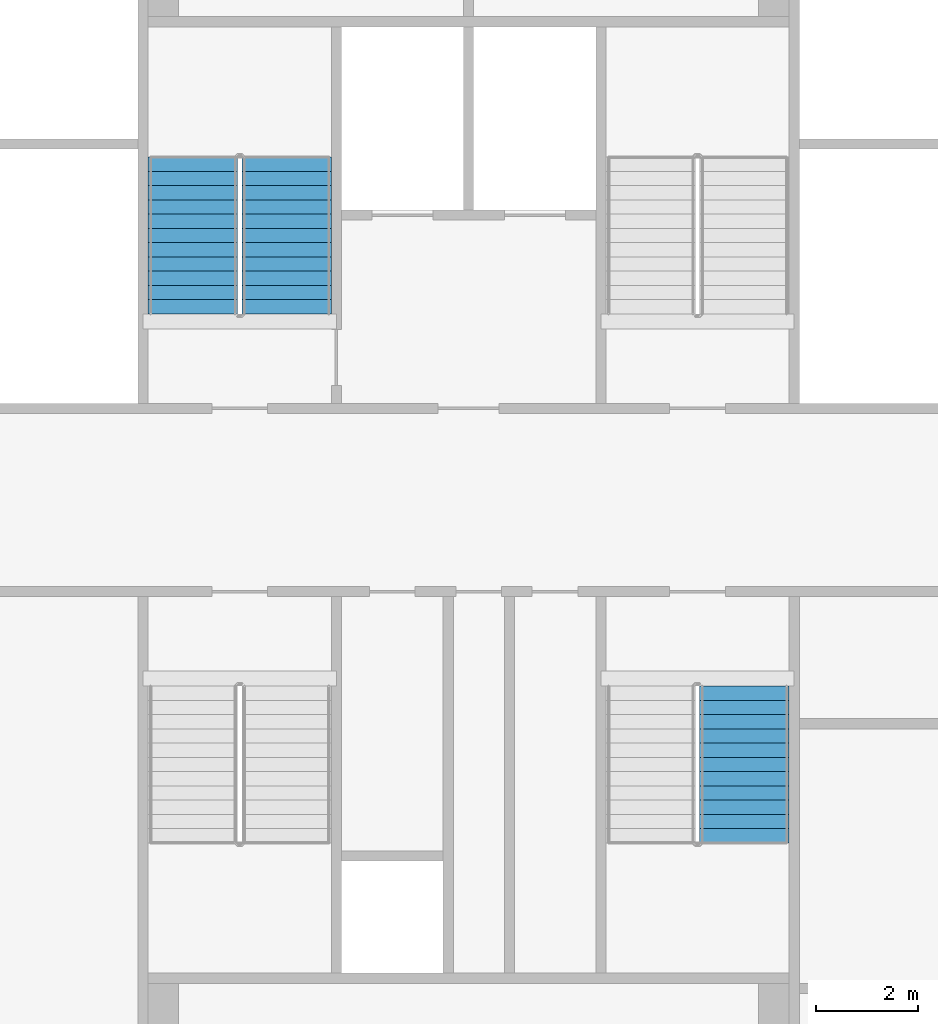
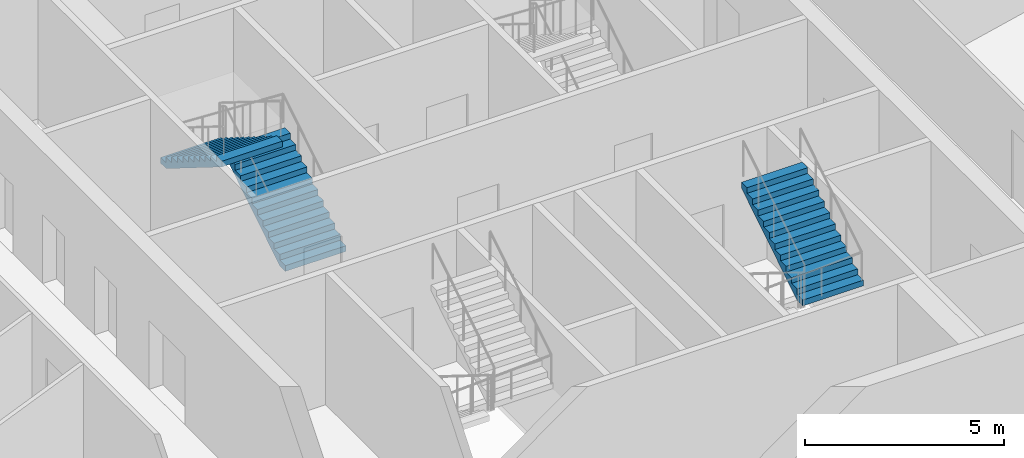
# One storey, part 21 of 27: 3 stair flights, 2 elements without a shape of their own.
"""IFC4 building model written with IfcOpenShell, lengths in metres."""

from ifc_helpers import new_model, si_unit, direction, frame, origin, place, context, subcontext, project, spatial, faceted_brep, material, type_object, element, aggregate, save


model = new_model("IFC4")

# Units and contexts
model_context = context("Model", 3, precision=1e-05, world=origin(), true_north=direction((0.0, 1.0)))
body_context = subcontext(model_context, "Body", "Model", "MODEL_VIEW")
ifc_project = project(units=[si_unit("LENGTHUNIT", "METRE"), si_unit("AREAUNIT", "SQUARE_METRE"), si_unit("VOLUMEUNIT", "CUBIC_METRE"), si_unit("PLANEANGLEUNIT", "RADIAN"), si_unit("MASSUNIT", "GRAM", prefix="KILO")], contexts=[model_context])

# Site, building, storey
site_placement = place(None, origin())
site = spatial("IfcSite", under=ifc_project, at=site_placement, CompositionType="ELEMENT")
building_placement = place(site_placement, origin())
building = spatial("IfcBuilding", under=site, at=building_placement, Name="Tarsis Ring Headquarters", CompositionType="ELEMENT")
storey_placement = place(building_placement, frame((0.0, 0.0, 373.39990234375)))
storey = spatial("IfcBuildingStorey", under=building, at=storey_placement, Name="L88", CompositionType="ELEMENT", Elevation=373.39990234375)

# Stair, stair flights
ifc_material_1 = material(Name="Core stair 1760")
stair_type = type_object("IfcStairType", Name="Core stair 1760", PredefinedType="HALF_TURN_STAIR", material=ifc_material_1)
stair_1_placement = place(storey_placement, origin())
stair_1 = element("IfcStair", 1, at=stair_1_placement, inside=storey, type_object=stair_type, Name="L88 Firefighting stair", PredefinedType="HALF_TURN_STAIR")
ifc_material_2 = material(Name="Concrete C40/50", Category="concrete")
stair_flight_type = type_object("IfcStairFlightType", Name="Core stair flight 1760", PredefinedType="STRAIGHT", material=ifc_material_2)
stair_flight_1_placement = place(storey_placement, frame((-3.580078125, 3.659912109375, 0.0), z_axis=(0.0, 0.0, 1.0), x_axis=(0.0, 1.0, 0.0)))
stair_flight_1 = element("IfcStairFlight", 2, at=stair_flight_1_placement, type_object=stair_flight_type, Name="Stair ST1 flight 1", NumberOfRisers=12, NumberOfTreads=11, PredefinedType="STRAIGHT", RiserHeight=0.175, TreadLength=0.28, context=body_context, shape_type="Brep", body=[
    faceted_brep([(0.0, 0.8798828125, 0.0), (0.0, 0.8798828125, 0.175048828125), (0.280029296875, 0.8798828125, 0.175048828125), (0.280029296875, 0.8798828125, 0.35009765625), (0.56005859375, 0.8798828125, 0.35009765625), (0.56005859375, 0.8798828125, 0.52490234375), (0.840087890625, 0.8798828125, 0.52490234375), (0.840087890625, 0.8798828125, 0.699951171875), (1.1201171875, 0.8798828125, 0.699951171875), (1.1201171875, 0.8798828125, 0.875), (1.39990234375, 0.8798828125, 0.875), (1.39990234375, 0.8798828125, 1.050048828125), (1.679931640625, 0.8798828125, 1.050048828125), (1.679931640625, 0.8798828125, 1.22509765625), (1.9599609375, 0.8798828125, 1.22509765625), (1.9599609375, 0.8798828125, 1.39990234375), (2.239990234375, 0.8798828125, 1.39990234375), (2.239990234375, 0.8798828125, 1.574951171875), (2.52001953125, 0.8798828125, 1.574951171875), (2.52001953125, 0.8798828125, 1.75), (2.800048828125, 0.8798828125, 1.75), (2.800048828125, 0.8798828125, 1.925048828125), (3.080078125, 0.8798828125, 1.925048828125), (3.080078125, 0.8798828125, 1.748291015625), (0.28271484375, 0.8798828125, 0.0), (0.28271484375, -0.8798828125, 0.0), (3.080078125, -0.8798828125, 1.748291015625), (3.080078125, -0.8798828125, 1.925048828125), (2.800048828125, -0.8798828125, 1.925048828125), (2.800048828125, -0.8798828125, 1.75), (2.52001953125, -0.8798828125, 1.75), (2.52001953125, -0.8798828125, 1.574951171875), (2.239990234375, -0.8798828125, 1.574951171875), (2.239990234375, -0.8798828125, 1.39990234375), (1.9599609375, -0.8798828125, 1.39990234375), (1.9599609375, -0.8798828125, 1.22509765625), (1.679931640625, -0.8798828125, 1.22509765625), (1.679931640625, -0.8798828125, 1.050048828125), (1.39990234375, -0.8798828125, 1.050048828125), (1.39990234375, -0.8798828125, 0.875), (1.1201171875, -0.8798828125, 0.875), (1.1201171875, -0.8798828125, 0.699951171875), (0.840087890625, -0.8798828125, 0.699951171875), (0.840087890625, -0.8798828125, 0.52490234375), (0.56005859375, -0.8798828125, 0.52490234375), (0.56005859375, -0.8798828125, 0.35009765625), (0.280029296875, -0.8798828125, 0.35009765625), (0.280029296875, -0.8798828125, 0.175048828125), (0.0, -0.8798828125, 0.175048828125), (0.0, -0.8798828125, 0.0), (0.0, -0.43994140625, 0.175048828125), (0.0, -0.43994140625, 0.0), (0.0, 0.0, 0.175048828125), (0.0, 0.0, 0.0), (0.0, 0.43994140625, 0.175048828125), (0.0, 0.43994140625, 0.0), (0.280029296875, -0.43994140625, 0.175048828125), (0.280029296875, 0.0, 0.175048828125), (0.280029296875, 0.43994140625, 0.175048828125), (0.280029296875, -0.43994140625, 0.35009765625), (0.280029296875, 0.0, 0.35009765625), (0.280029296875, 0.43994140625, 0.35009765625), (0.56005859375, -0.43994140625, 0.35009765625), (0.56005859375, 0.0, 0.35009765625), (0.56005859375, 0.43994140625, 0.35009765625), (0.56005859375, -0.43994140625, 0.52490234375), (0.56005859375, 0.0, 0.52490234375), (0.56005859375, 0.43994140625, 0.52490234375), (0.840087890625, -0.43994140625, 0.52490234375), (0.840087890625, 0.0, 0.52490234375), (0.840087890625, 0.43994140625, 0.52490234375), (0.840087890625, -0.43994140625, 0.699951171875), (0.840087890625, 0.0, 0.699951171875), (0.840087890625, 0.43994140625, 0.699951171875), (1.1201171875, -0.43994140625, 0.699951171875), (1.1201171875, 0.0, 0.699951171875), (1.1201171875, 0.43994140625, 0.699951171875), (1.1201171875, -0.43994140625, 0.875), (1.1201171875, 0.0, 0.875), (1.1201171875, 0.43994140625, 0.875), (1.39990234375, -0.43994140625, 0.875), (1.39990234375, 0.0, 0.875), (1.39990234375, 0.43994140625, 0.875), (1.39990234375, -0.43994140625, 1.050048828125), (1.39990234375, 0.0, 1.050048828125), (1.39990234375, 0.43994140625, 1.050048828125), (1.679931640625, -0.43994140625, 1.050048828125), (1.679931640625, 0.0, 1.050048828125), (1.679931640625, 0.43994140625, 1.050048828125), (1.679931640625, -0.43994140625, 1.22509765625), (1.679931640625, 0.0, 1.22509765625), (1.679931640625, 0.43994140625, 1.22509765625), (1.9599609375, -0.43994140625, 1.22509765625), (1.9599609375, 0.0, 1.22509765625), (1.9599609375, 0.43994140625, 1.22509765625), (1.9599609375, -0.43994140625, 1.39990234375), (1.9599609375, 0.0, 1.39990234375), (1.9599609375, 0.43994140625, 1.39990234375), (2.239990234375, -0.43994140625, 1.39990234375), (2.239990234375, 0.0, 1.39990234375), (2.239990234375, 0.43994140625, 1.39990234375), (2.239990234375, -0.43994140625, 1.574951171875), (2.239990234375, 0.0, 1.574951171875), (2.239990234375, 0.43994140625, 1.574951171875), (2.52001953125, -0.43994140625, 1.574951171875), (2.52001953125, 0.0, 1.574951171875), (2.52001953125, 0.43994140625, 1.574951171875), (2.52001953125, -0.43994140625, 1.75), (2.52001953125, 0.0, 1.75), (2.52001953125, 0.43994140625, 1.75), (2.800048828125, -0.43994140625, 1.75), (2.800048828125, 0.0, 1.75), (2.800048828125, 0.43994140625, 1.75), (2.800048828125, -0.43994140625, 1.925048828125), (2.800048828125, 0.0, 1.925048828125), (2.800048828125, 0.43994140625, 1.925048828125), (3.080078125, -0.43994140625, 1.925048828125), (3.080078125, 0.0, 1.925048828125), (3.080078125, 0.43994140625, 1.925048828125), (3.080078125, -0.43994140625, 1.748291015625), (3.080078125, 0.0, 1.748291015625), (3.080078125, 0.43994140625, 1.748291015625), (0.28271484375, -0.43994140625, 0.0), (0.28271484375, 0.0, 0.0), (0.28271484375, 0.43994140625, 0.0)], [[[0, 1, 2, 3, 4, 5, 6, 7, 8, 9, 10, 11, 12, 13, 14, 15, 16, 17, 18, 19, 20, 21, 22, 23, 24]], [[25, 26, 27, 28, 29, 30, 31, 32, 33, 34, 35, 36, 37, 38, 39, 40, 41, 42, 43, 44, 45, 46, 47, 48, 49]], [[49, 48, 50, 51]], [[51, 50, 52, 53]], [[53, 52, 54, 55]], [[55, 54, 1, 0]], [[48, 47, 56, 50]], [[50, 56, 57, 52]], [[52, 57, 58, 54]], [[54, 58, 2, 1]], [[47, 46, 59, 56]], [[56, 59, 60, 57]], [[57, 60, 61, 58]], [[58, 61, 3, 2]], [[46, 45, 62, 59]], [[59, 62, 63, 60]], [[60, 63, 64, 61]], [[61, 64, 4, 3]], [[45, 44, 65, 62]], [[62, 65, 66, 63]], [[63, 66, 67, 64]], [[64, 67, 5, 4]], [[44, 43, 68, 65]], [[65, 68, 69, 66]], [[66, 69, 70, 67]], [[67, 70, 6, 5]], [[43, 42, 71, 68]], [[68, 71, 72, 69]], [[69, 72, 73, 70]], [[70, 73, 7, 6]], [[42, 41, 74, 71]], [[71, 74, 75, 72]], [[72, 75, 76, 73]], [[73, 76, 8, 7]], [[41, 40, 77, 74]], [[74, 77, 78, 75]], [[75, 78, 79, 76]], [[76, 79, 9, 8]], [[40, 39, 80, 77]], [[77, 80, 81, 78]], [[78, 81, 82, 79]], [[79, 82, 10, 9]], [[39, 38, 83, 80]], [[80, 83, 84, 81]], [[81, 84, 85, 82]], [[82, 85, 11, 10]], [[38, 37, 86, 83]], [[83, 86, 87, 84]], [[84, 87, 88, 85]], [[85, 88, 12, 11]], [[37, 36, 89, 86]], [[86, 89, 90, 87]], [[87, 90, 91, 88]], [[88, 91, 13, 12]], [[36, 35, 92, 89]], [[89, 92, 93, 90]], [[90, 93, 94, 91]], [[91, 94, 14, 13]], [[35, 34, 95, 92]], [[92, 95, 96, 93]], [[93, 96, 97, 94]], [[94, 97, 15, 14]], [[34, 33, 98, 95]], [[95, 98, 99, 96]], [[96, 99, 100, 97]], [[97, 100, 16, 15]], [[33, 32, 101, 98]], [[98, 101, 102, 99]], [[99, 102, 103, 100]], [[100, 103, 17, 16]], [[32, 31, 104, 101]], [[101, 104, 105, 102]], [[102, 105, 106, 103]], [[103, 106, 18, 17]], [[31, 30, 107, 104]], [[104, 107, 108, 105]], [[105, 108, 109, 106]], [[106, 109, 19, 18]], [[30, 29, 110, 107]], [[107, 110, 111, 108]], [[108, 111, 112, 109]], [[109, 112, 20, 19]], [[29, 28, 113, 110]], [[110, 113, 114, 111]], [[111, 114, 115, 112]], [[112, 115, 21, 20]], [[28, 27, 116, 113]], [[113, 116, 117, 114]], [[114, 117, 118, 115]], [[115, 118, 22, 21]], [[27, 26, 119, 116]], [[116, 119, 120, 117]], [[117, 120, 121, 118]], [[118, 121, 23, 22]], [[26, 25, 122, 119]], [[119, 122, 123, 120]], [[120, 123, 124, 121]], [[121, 124, 24, 23]], [[25, 49, 51, 122]], [[122, 51, 53, 123]], [[123, 53, 55, 124]], [[124, 55, 0, 24]]]),
])
stair_flight_2_placement = place(storey_placement, frame((-5.419921875, 6.739990234375, 2.10009765625), z_axis=(0.0, 0.0, 1.0), x_axis=(0.0, -1.0, 0.0)))
stair_flight_2 = element("IfcStairFlight", 3, at=stair_flight_2_placement, type_object=stair_flight_type, Name="Stair ST1 flight 2", NumberOfRisers=12, NumberOfTreads=11, PredefinedType="STRAIGHT", RiserHeight=0.175, TreadLength=0.28, context=body_context, shape_type="Brep", body=[
    faceted_brep([(0.0, 0.8798828125, 0.0), (0.0, 0.8798828125, 0.175048828125), (0.280029296875, 0.8798828125, 0.175048828125), (0.280029296875, 0.8798828125, 0.35009765625), (0.56005859375, 0.8798828125, 0.35009765625), (0.56005859375, 0.8798828125, 0.52490234375), (0.840087890625, 0.8798828125, 0.52490234375), (0.840087890625, 0.8798828125, 0.699951171875), (1.1201171875, 0.8798828125, 0.699951171875), (1.1201171875, 0.8798828125, 0.875), (1.39990234375, 0.8798828125, 0.875), (1.39990234375, 0.8798828125, 1.050048828125), (1.679931640625, 0.8798828125, 1.050048828125), (1.679931640625, 0.8798828125, 1.22509765625), (1.9599609375, 0.8798828125, 1.22509765625), (1.9599609375, 0.8798828125, 1.39990234375), (2.239990234375, 0.8798828125, 1.39990234375), (2.239990234375, 0.8798828125, 1.574951171875), (2.52001953125, 0.8798828125, 1.574951171875), (2.52001953125, 0.8798828125, 1.75), (2.800048828125, 0.8798828125, 1.75), (2.800048828125, 0.8798828125, 1.925048828125), (3.080078125, 0.8798828125, 1.925048828125), (3.080078125, 0.8798828125, 1.748291015625), (0.28271484375, 0.8798828125, 0.0), (0.28271484375, -0.8798828125, 0.0), (3.080078125, -0.8798828125, 1.748291015625), (3.080078125, -0.8798828125, 1.925048828125), (2.800048828125, -0.8798828125, 1.925048828125), (2.800048828125, -0.8798828125, 1.75), (2.52001953125, -0.8798828125, 1.75), (2.52001953125, -0.8798828125, 1.574951171875), (2.239990234375, -0.8798828125, 1.574951171875), (2.239990234375, -0.8798828125, 1.39990234375), (1.9599609375, -0.8798828125, 1.39990234375), (1.9599609375, -0.8798828125, 1.22509765625), (1.679931640625, -0.8798828125, 1.22509765625), (1.679931640625, -0.8798828125, 1.050048828125), (1.39990234375, -0.8798828125, 1.050048828125), (1.39990234375, -0.8798828125, 0.875), (1.1201171875, -0.8798828125, 0.875), (1.1201171875, -0.8798828125, 0.699951171875), (0.840087890625, -0.8798828125, 0.699951171875), (0.840087890625, -0.8798828125, 0.52490234375), (0.56005859375, -0.8798828125, 0.52490234375), (0.56005859375, -0.8798828125, 0.35009765625), (0.280029296875, -0.8798828125, 0.35009765625), (0.280029296875, -0.8798828125, 0.175048828125), (0.0, -0.8798828125, 0.175048828125), (0.0, -0.8798828125, 0.0), (0.0, -0.43994140625, 0.175048828125), (0.0, -0.43994140625, 0.0), (0.0, 0.0, 0.175048828125), (0.0, 0.0, 0.0), (0.0, 0.43994140625, 0.175048828125), (0.0, 0.43994140625, 0.0), (0.280029296875, -0.43994140625, 0.175048828125), (0.280029296875, 0.0, 0.175048828125), (0.280029296875, 0.43994140625, 0.175048828125), (0.280029296875, -0.43994140625, 0.35009765625), (0.280029296875, 0.0, 0.35009765625), (0.280029296875, 0.43994140625, 0.35009765625), (0.56005859375, -0.43994140625, 0.35009765625), (0.56005859375, 0.0, 0.35009765625), (0.56005859375, 0.43994140625, 0.35009765625), (0.56005859375, -0.43994140625, 0.52490234375), (0.56005859375, 0.0, 0.52490234375), (0.56005859375, 0.43994140625, 0.52490234375), (0.840087890625, -0.43994140625, 0.52490234375), (0.840087890625, 0.0, 0.52490234375), (0.840087890625, 0.43994140625, 0.52490234375), (0.840087890625, -0.43994140625, 0.699951171875), (0.840087890625, 0.0, 0.699951171875), (0.840087890625, 0.43994140625, 0.699951171875), (1.1201171875, -0.43994140625, 0.699951171875), (1.1201171875, 0.0, 0.699951171875), (1.1201171875, 0.43994140625, 0.699951171875), (1.1201171875, -0.43994140625, 0.875), (1.1201171875, 0.0, 0.875), (1.1201171875, 0.43994140625, 0.875), (1.39990234375, -0.43994140625, 0.875), (1.39990234375, 0.0, 0.875), (1.39990234375, 0.43994140625, 0.875), (1.39990234375, -0.43994140625, 1.050048828125), (1.39990234375, 0.0, 1.050048828125), (1.39990234375, 0.43994140625, 1.050048828125), (1.679931640625, -0.43994140625, 1.050048828125), (1.679931640625, 0.0, 1.050048828125), (1.679931640625, 0.43994140625, 1.050048828125), (1.679931640625, -0.43994140625, 1.22509765625), (1.679931640625, 0.0, 1.22509765625), (1.679931640625, 0.43994140625, 1.22509765625), (1.9599609375, -0.43994140625, 1.22509765625), (1.9599609375, 0.0, 1.22509765625), (1.9599609375, 0.43994140625, 1.22509765625), (1.9599609375, -0.43994140625, 1.39990234375), (1.9599609375, 0.0, 1.39990234375), (1.9599609375, 0.43994140625, 1.39990234375), (2.239990234375, -0.43994140625, 1.39990234375), (2.239990234375, 0.0, 1.39990234375), (2.239990234375, 0.43994140625, 1.39990234375), (2.239990234375, -0.43994140625, 1.574951171875), (2.239990234375, 0.0, 1.574951171875), (2.239990234375, 0.43994140625, 1.574951171875), (2.52001953125, -0.43994140625, 1.574951171875), (2.52001953125, 0.0, 1.574951171875), (2.52001953125, 0.43994140625, 1.574951171875), (2.52001953125, -0.43994140625, 1.75), (2.52001953125, 0.0, 1.75), (2.52001953125, 0.43994140625, 1.75), (2.800048828125, -0.43994140625, 1.75), (2.800048828125, 0.0, 1.75), (2.800048828125, 0.43994140625, 1.75), (2.800048828125, -0.43994140625, 1.925048828125), (2.800048828125, 0.0, 1.925048828125), (2.800048828125, 0.43994140625, 1.925048828125), (3.080078125, -0.43994140625, 1.925048828125), (3.080078125, 0.0, 1.925048828125), (3.080078125, 0.43994140625, 1.925048828125), (3.080078125, -0.43994140625, 1.748291015625), (3.080078125, 0.0, 1.748291015625), (3.080078125, 0.43994140625, 1.748291015625), (0.28271484375, -0.43994140625, 0.0), (0.28271484375, 0.0, 0.0), (0.28271484375, 0.43994140625, 0.0)], [[[0, 1, 2, 3, 4, 5, 6, 7, 8, 9, 10, 11, 12, 13, 14, 15, 16, 17, 18, 19, 20, 21, 22, 23, 24]], [[25, 26, 27, 28, 29, 30, 31, 32, 33, 34, 35, 36, 37, 38, 39, 40, 41, 42, 43, 44, 45, 46, 47, 48, 49]], [[49, 48, 50, 51]], [[51, 50, 52, 53]], [[53, 52, 54, 55]], [[55, 54, 1, 0]], [[48, 47, 56, 50]], [[50, 56, 57, 52]], [[52, 57, 58, 54]], [[54, 58, 2, 1]], [[47, 46, 59, 56]], [[56, 59, 60, 57]], [[57, 60, 61, 58]], [[58, 61, 3, 2]], [[46, 45, 62, 59]], [[59, 62, 63, 60]], [[60, 63, 64, 61]], [[61, 64, 4, 3]], [[45, 44, 65, 62]], [[62, 65, 66, 63]], [[63, 66, 67, 64]], [[64, 67, 5, 4]], [[44, 43, 68, 65]], [[65, 68, 69, 66]], [[66, 69, 70, 67]], [[67, 70, 6, 5]], [[43, 42, 71, 68]], [[68, 71, 72, 69]], [[69, 72, 73, 70]], [[70, 73, 7, 6]], [[42, 41, 74, 71]], [[71, 74, 75, 72]], [[72, 75, 76, 73]], [[73, 76, 8, 7]], [[41, 40, 77, 74]], [[74, 77, 78, 75]], [[75, 78, 79, 76]], [[76, 79, 9, 8]], [[40, 39, 80, 77]], [[77, 80, 81, 78]], [[78, 81, 82, 79]], [[79, 82, 10, 9]], [[39, 38, 83, 80]], [[80, 83, 84, 81]], [[81, 84, 85, 82]], [[82, 85, 11, 10]], [[38, 37, 86, 83]], [[83, 86, 87, 84]], [[84, 87, 88, 85]], [[85, 88, 12, 11]], [[37, 36, 89, 86]], [[86, 89, 90, 87]], [[87, 90, 91, 88]], [[88, 91, 13, 12]], [[36, 35, 92, 89]], [[89, 92, 93, 90]], [[90, 93, 94, 91]], [[91, 94, 14, 13]], [[35, 34, 95, 92]], [[92, 95, 96, 93]], [[93, 96, 97, 94]], [[94, 97, 15, 14]], [[34, 33, 98, 95]], [[95, 98, 99, 96]], [[96, 99, 100, 97]], [[97, 100, 16, 15]], [[33, 32, 101, 98]], [[98, 101, 102, 99]], [[99, 102, 103, 100]], [[100, 103, 17, 16]], [[32, 31, 104, 101]], [[101, 104, 105, 102]], [[102, 105, 106, 103]], [[103, 106, 18, 17]], [[31, 30, 107, 104]], [[104, 107, 108, 105]], [[105, 108, 109, 106]], [[106, 109, 19, 18]], [[30, 29, 110, 107]], [[107, 110, 111, 108]], [[108, 111, 112, 109]], [[109, 112, 20, 19]], [[29, 28, 113, 110]], [[110, 113, 114, 111]], [[111, 114, 115, 112]], [[112, 115, 21, 20]], [[28, 27, 116, 113]], [[113, 116, 117, 114]], [[114, 117, 118, 115]], [[115, 118, 22, 21]], [[27, 26, 119, 116]], [[116, 119, 120, 117]], [[117, 120, 121, 118]], [[118, 121, 23, 22]], [[26, 25, 122, 119]], [[119, 122, 123, 120]], [[120, 123, 124, 121]], [[121, 124, 24, 23]], [[25, 49, 51, 122]], [[122, 51, 53, 123]], [[123, 53, 55, 124]], [[124, 55, 0, 24]]]),
])
aggregate(stair_1, [stair_flight_1, stair_flight_2])

# Stair, stair flight
stair_2_placement = place(storey_placement, origin())
stair_2 = element("IfcStair", 4, at=stair_2_placement, inside=storey, type_object=stair_type, Name="L88 Exit stair D", PredefinedType="HALF_TURN_STAIR")
stair_flight_3_placement = place(storey_placement, frame((5.419921875, -6.739990234375, 2.10009765625), z_axis=(0.0, 0.0, 1.0), x_axis=(0.0, 1.0, 0.0)))
stair_flight_3 = element("IfcStairFlight", 5, at=stair_flight_3_placement, type_object=stair_flight_type, Name="Stair ST4 flight 2", NumberOfRisers=12, NumberOfTreads=11, PredefinedType="STRAIGHT", RiserHeight=0.175, TreadLength=0.28, context=body_context, shape_type="Brep", body=[
    faceted_brep([(0.0, 0.8798828125, 0.0), (0.0, 0.8798828125, 0.175048828125), (0.280029296875, 0.8798828125, 0.175048828125), (0.280029296875, 0.8798828125, 0.35009765625), (0.56005859375, 0.8798828125, 0.35009765625), (0.56005859375, 0.8798828125, 0.52490234375), (0.840087890625, 0.8798828125, 0.52490234375), (0.840087890625, 0.8798828125, 0.699951171875), (1.1201171875, 0.8798828125, 0.699951171875), (1.1201171875, 0.8798828125, 0.875), (1.39990234375, 0.8798828125, 0.875), (1.39990234375, 0.8798828125, 1.050048828125), (1.679931640625, 0.8798828125, 1.050048828125), (1.679931640625, 0.8798828125, 1.22509765625), (1.9599609375, 0.8798828125, 1.22509765625), (1.9599609375, 0.8798828125, 1.39990234375), (2.239990234375, 0.8798828125, 1.39990234375), (2.239990234375, 0.8798828125, 1.574951171875), (2.52001953125, 0.8798828125, 1.574951171875), (2.52001953125, 0.8798828125, 1.75), (2.800048828125, 0.8798828125, 1.75), (2.800048828125, 0.8798828125, 1.925048828125), (3.080078125, 0.8798828125, 1.925048828125), (3.080078125, 0.8798828125, 1.748291015625), (0.28271484375, 0.8798828125, 0.0), (0.28271484375, -0.8798828125, 0.0), (3.080078125, -0.8798828125, 1.748291015625), (3.080078125, -0.8798828125, 1.925048828125), (2.800048828125, -0.8798828125, 1.925048828125), (2.800048828125, -0.8798828125, 1.75), (2.52001953125, -0.8798828125, 1.75), (2.52001953125, -0.8798828125, 1.574951171875), (2.239990234375, -0.8798828125, 1.574951171875), (2.239990234375, -0.8798828125, 1.39990234375), (1.9599609375, -0.8798828125, 1.39990234375), (1.9599609375, -0.8798828125, 1.22509765625), (1.679931640625, -0.8798828125, 1.22509765625), (1.679931640625, -0.8798828125, 1.050048828125), (1.39990234375, -0.8798828125, 1.050048828125), (1.39990234375, -0.8798828125, 0.875), (1.1201171875, -0.8798828125, 0.875), (1.1201171875, -0.8798828125, 0.699951171875), (0.840087890625, -0.8798828125, 0.699951171875), (0.840087890625, -0.8798828125, 0.52490234375), (0.56005859375, -0.8798828125, 0.52490234375), (0.56005859375, -0.8798828125, 0.35009765625), (0.280029296875, -0.8798828125, 0.35009765625), (0.280029296875, -0.8798828125, 0.175048828125), (0.0, -0.8798828125, 0.175048828125), (0.0, -0.8798828125, 0.0), (0.0, -0.43994140625, 0.175048828125), (0.0, -0.43994140625, 0.0), (0.0, 0.0, 0.175048828125), (0.0, 0.0, 0.0), (0.0, 0.43994140625, 0.175048828125), (0.0, 0.43994140625, 0.0), (0.280029296875, -0.43994140625, 0.175048828125), (0.280029296875, 0.0, 0.175048828125), (0.280029296875, 0.43994140625, 0.175048828125), (0.280029296875, -0.43994140625, 0.35009765625), (0.280029296875, 0.0, 0.35009765625), (0.280029296875, 0.43994140625, 0.35009765625), (0.56005859375, -0.43994140625, 0.35009765625), (0.56005859375, 0.0, 0.35009765625), (0.56005859375, 0.43994140625, 0.35009765625), (0.56005859375, -0.43994140625, 0.52490234375), (0.56005859375, 0.0, 0.52490234375), (0.56005859375, 0.43994140625, 0.52490234375), (0.840087890625, -0.43994140625, 0.52490234375), (0.840087890625, 0.0, 0.52490234375), (0.840087890625, 0.43994140625, 0.52490234375), (0.840087890625, -0.43994140625, 0.699951171875), (0.840087890625, 0.0, 0.699951171875), (0.840087890625, 0.43994140625, 0.699951171875), (1.1201171875, -0.43994140625, 0.699951171875), (1.1201171875, 0.0, 0.699951171875), (1.1201171875, 0.43994140625, 0.699951171875), (1.1201171875, -0.43994140625, 0.875), (1.1201171875, 0.0, 0.875), (1.1201171875, 0.43994140625, 0.875), (1.39990234375, -0.43994140625, 0.875), (1.39990234375, 0.0, 0.875), (1.39990234375, 0.43994140625, 0.875), (1.39990234375, -0.43994140625, 1.050048828125), (1.39990234375, 0.0, 1.050048828125), (1.39990234375, 0.43994140625, 1.050048828125), (1.679931640625, -0.43994140625, 1.050048828125), (1.679931640625, 0.0, 1.050048828125), (1.679931640625, 0.43994140625, 1.050048828125), (1.679931640625, -0.43994140625, 1.22509765625), (1.679931640625, 0.0, 1.22509765625), (1.679931640625, 0.43994140625, 1.22509765625), (1.9599609375, -0.43994140625, 1.22509765625), (1.9599609375, 0.0, 1.22509765625), (1.9599609375, 0.43994140625, 1.22509765625), (1.9599609375, -0.43994140625, 1.39990234375), (1.9599609375, 0.0, 1.39990234375), (1.9599609375, 0.43994140625, 1.39990234375), (2.239990234375, -0.43994140625, 1.39990234375), (2.239990234375, 0.0, 1.39990234375), (2.239990234375, 0.43994140625, 1.39990234375), (2.239990234375, -0.43994140625, 1.574951171875), (2.239990234375, 0.0, 1.574951171875), (2.239990234375, 0.43994140625, 1.574951171875), (2.52001953125, -0.43994140625, 1.574951171875), (2.52001953125, 0.0, 1.574951171875), (2.52001953125, 0.43994140625, 1.574951171875), (2.52001953125, -0.43994140625, 1.75), (2.52001953125, 0.0, 1.75), (2.52001953125, 0.43994140625, 1.75), (2.800048828125, -0.43994140625, 1.75), (2.800048828125, 0.0, 1.75), (2.800048828125, 0.43994140625, 1.75), (2.800048828125, -0.43994140625, 1.925048828125), (2.800048828125, 0.0, 1.925048828125), (2.800048828125, 0.43994140625, 1.925048828125), (3.080078125, -0.43994140625, 1.925048828125), (3.080078125, 0.0, 1.925048828125), (3.080078125, 0.43994140625, 1.925048828125), (3.080078125, -0.43994140625, 1.748291015625), (3.080078125, 0.0, 1.748291015625), (3.080078125, 0.43994140625, 1.748291015625), (0.28271484375, -0.43994140625, 0.0), (0.28271484375, 0.0, 0.0), (0.28271484375, 0.43994140625, 0.0)], [[[0, 1, 2, 3, 4, 5, 6, 7, 8, 9, 10, 11, 12, 13, 14, 15, 16, 17, 18, 19, 20, 21, 22, 23, 24]], [[25, 26, 27, 28, 29, 30, 31, 32, 33, 34, 35, 36, 37, 38, 39, 40, 41, 42, 43, 44, 45, 46, 47, 48, 49]], [[49, 48, 50, 51]], [[51, 50, 52, 53]], [[53, 52, 54, 55]], [[55, 54, 1, 0]], [[48, 47, 56, 50]], [[50, 56, 57, 52]], [[52, 57, 58, 54]], [[54, 58, 2, 1]], [[47, 46, 59, 56]], [[56, 59, 60, 57]], [[57, 60, 61, 58]], [[58, 61, 3, 2]], [[46, 45, 62, 59]], [[59, 62, 63, 60]], [[60, 63, 64, 61]], [[61, 64, 4, 3]], [[45, 44, 65, 62]], [[62, 65, 66, 63]], [[63, 66, 67, 64]], [[64, 67, 5, 4]], [[44, 43, 68, 65]], [[65, 68, 69, 66]], [[66, 69, 70, 67]], [[67, 70, 6, 5]], [[43, 42, 71, 68]], [[68, 71, 72, 69]], [[69, 72, 73, 70]], [[70, 73, 7, 6]], [[42, 41, 74, 71]], [[71, 74, 75, 72]], [[72, 75, 76, 73]], [[73, 76, 8, 7]], [[41, 40, 77, 74]], [[74, 77, 78, 75]], [[75, 78, 79, 76]], [[76, 79, 9, 8]], [[40, 39, 80, 77]], [[77, 80, 81, 78]], [[78, 81, 82, 79]], [[79, 82, 10, 9]], [[39, 38, 83, 80]], [[80, 83, 84, 81]], [[81, 84, 85, 82]], [[82, 85, 11, 10]], [[38, 37, 86, 83]], [[83, 86, 87, 84]], [[84, 87, 88, 85]], [[85, 88, 12, 11]], [[37, 36, 89, 86]], [[86, 89, 90, 87]], [[87, 90, 91, 88]], [[88, 91, 13, 12]], [[36, 35, 92, 89]], [[89, 92, 93, 90]], [[90, 93, 94, 91]], [[91, 94, 14, 13]], [[35, 34, 95, 92]], [[92, 95, 96, 93]], [[93, 96, 97, 94]], [[94, 97, 15, 14]], [[34, 33, 98, 95]], [[95, 98, 99, 96]], [[96, 99, 100, 97]], [[97, 100, 16, 15]], [[33, 32, 101, 98]], [[98, 101, 102, 99]], [[99, 102, 103, 100]], [[100, 103, 17, 16]], [[32, 31, 104, 101]], [[101, 104, 105, 102]], [[102, 105, 106, 103]], [[103, 106, 18, 17]], [[31, 30, 107, 104]], [[104, 107, 108, 105]], [[105, 108, 109, 106]], [[106, 109, 19, 18]], [[30, 29, 110, 107]], [[107, 110, 111, 108]], [[108, 111, 112, 109]], [[109, 112, 20, 19]], [[29, 28, 113, 110]], [[110, 113, 114, 111]], [[111, 114, 115, 112]], [[112, 115, 21, 20]], [[28, 27, 116, 113]], [[113, 116, 117, 114]], [[114, 117, 118, 115]], [[115, 118, 22, 21]], [[27, 26, 119, 116]], [[116, 119, 120, 117]], [[117, 120, 121, 118]], [[118, 121, 23, 22]], [[26, 25, 122, 119]], [[119, 122, 123, 120]], [[120, 123, 124, 121]], [[121, 124, 24, 23]], [[25, 49, 51, 122]], [[122, 51, 53, 123]], [[123, 53, 55, 124]], [[124, 55, 0, 24]]]),
])
aggregate(stair_2, [stair_flight_3])

save(model, "model.ifc")
